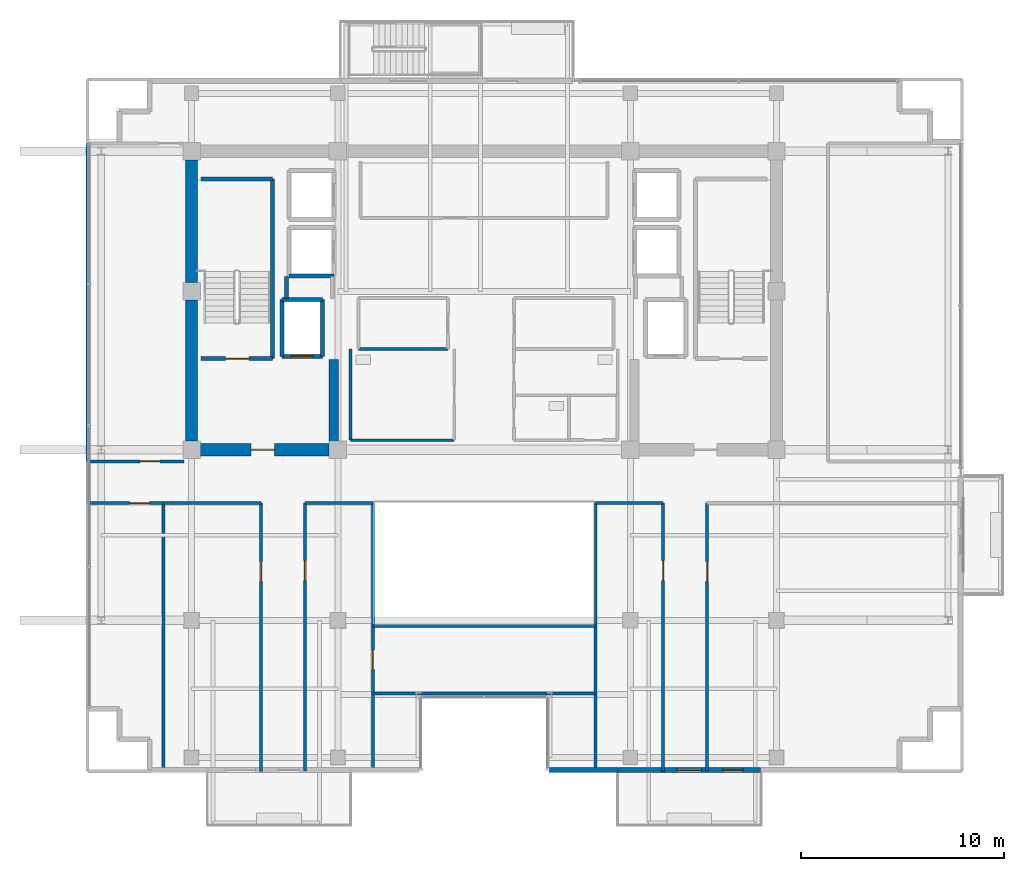
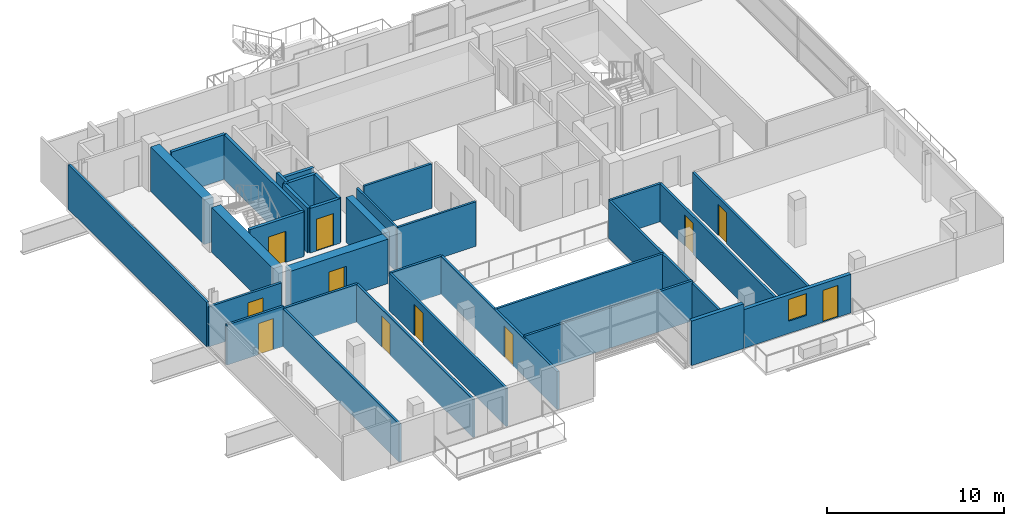
# One storey, part 15 of 23: 33 walls, 11 doors, 1 window, 12 openings.
"""IFC4 building model written with IfcOpenShell, lengths in metres."""

from ifc_helpers import new_model, si_unit, direction, frame, frame_2d, origin, place, context, subcontext, project, spatial, rectangle, extrude, source, transform, mapped, material, layer, layer_set, type_object, element, fill, save


model = new_model("IFC4")

# Units and contexts
model_context = context("Model", 3, precision=1e-05, world=origin(), true_north=direction((0.0, 1.0)))
body_context = subcontext(model_context, "Body", "Model", "MODEL_VIEW")
ifc_project = project(units=[si_unit("LENGTHUNIT", "METRE"), si_unit("AREAUNIT", "SQUARE_METRE"), si_unit("VOLUMEUNIT", "CUBIC_METRE"), si_unit("PLANEANGLEUNIT", "RADIAN"), si_unit("MASSUNIT", "GRAM", prefix="KILO")], contexts=[model_context])

# Site, building, storey
site_placement = place(None, origin())
site = spatial("IfcSite", under=ifc_project, at=site_placement, CompositionType="ELEMENT")
building_placement = place(site_placement, origin())
building = spatial("IfcBuilding", under=site, at=building_placement, Name="Zarnakvel Exchange Tower", CompositionType="ELEMENT")
storey_placement = place(building_placement, frame((0.0, 0.0, 232.0)))
storey = spatial("IfcBuildingStorey", under=building, at=storey_placement, Name="L65", CompositionType="ELEMENT", Elevation=232.0)

# Walls
ifc_material_1 = material(Name="Concrete C50/60", Category="concrete")
ifc_layer_1 = layer(ifc_material_1, 0.60009765625)
ifc_layer_set_1 = layer_set([ifc_layer_1], Name="Concrete C50/60")
wall_type_1 = type_object("IfcWallType", Name="CW-C5", PredefinedType="SHEAR", material=ifc_layer_set_1)
wall_1_placement = place(storey_placement, frame((-14.39990234375, -0.77490234375, 0.0), z_axis=(0.0, 0.0, 1.0), x_axis=(0.0, 1.0, 0.0)))
element("IfcWall", 1, at=wall_1_placement, inside=storey, type_object=wall_type_1, Name="L65 Rear Core Shear Wall W1 (CW-C5)", PredefinedType="SHEAR", context=body_context, shape_type="SweptSolid", body=[
    extrude(rectangle(XDim=6.949951171875, YDim=0.60009765625, at=frame_2d((3.47509765625, 0.0))), origin(), (0.0, 0.0, 1.0), 3.074951171875),
])
wall_2_placement = place(storey_placement, frame((-14.39990234375, 7.02490234375, 0.0), z_axis=(0.0, 0.0, 1.0), x_axis=(0.0, 1.0, 0.0)))
element("IfcWall", 2, at=wall_2_placement, inside=storey, type_object=wall_type_1, Name="L65 Rear Core Shear Wall W2 (CW-C5)", PredefinedType="SHEAR", context=body_context, shape_type="SweptSolid", body=[
    extrude(rectangle(XDim=6.050048828125, YDim=0.60009765625, at=frame_2d((3.02490234375, 0.0))), origin(), (0.0, 0.0, 1.0), 3.074951171875),
])

# Wall, opening, door
wall_3_placement = place(storey_placement, frame((-7.625, -1.199951171875, 0.0), z_axis=(0.0, 0.0, 1.0), x_axis=(-1.0, 0.0, 0.0)))
wall_3 = element("IfcWall", 3, at=wall_3_placement, inside=storey, type_object=wall_type_1, Name="L65 Rear Core Shear Wall SW (CW-C5)", PredefinedType="SHEAR", context=body_context, shape_type="SweptSolid", body=[
    extrude(rectangle(XDim=6.35009765625, YDim=0.60009765625, at=frame_2d((3.175048828125, 0.0))), origin(), (0.0, 0.0, 1.0), 3.074951171875),
])
opening_1_placement = place(wall_3_placement, frame((2.699951171875, 0.0, 0.0)))
opening_1 = element("IfcOpeningElement", 4, at=opening_1_placement, cuts=wall_3, Name="Opening D-L65-03", PredefinedType="OPENING", context=body_context, shape_type="SweptSolid", body=[
    extrude(rectangle(XDim=1.14990234375, YDim=2.14990234375, at=frame_2d((0.574951171875, 1.074951171875))), frame((0.0, 0.31005859375, 0.0), z_axis=(0.0, -1.0, 0.0), x_axis=(1.0, 0.0, 0.0)), (0.0, 0.0, 1.0), 0.6201171875),
])
ifc_material_2 = material(Name="Painted Galvanised Steel S355", Category="steel")
door_type_1 = type_object("IfcDoorType", Name="DT-04", OperationType="NOTDEFINED", PredefinedType="DOOR", material=ifc_material_2)
shared_shape_1 = source(origin(), body_context, "Body", "SweptSolid", [
    extrude(rectangle(XDim=1.14990234375, YDim=2.14990234375, at=frame_2d((0.574951171875, 1.074951171875))), frame((0.0, 0.02490234375, 0.0), z_axis=(0.0, -1.0, 0.0), x_axis=(1.0, 0.0, 0.0)), (0.0, 0.0, 1.0), 0.050048828125),
])
door_1_placement = place(opening_1_placement, origin())
door_1 = element("IfcDoor", 5, at=door_1_placement, inside=storey, type_object=door_type_1, Name="L65 Firefighting Lobby West Door D-L65-03", OperationType="SINGLE_SWING_LEFT", OverallHeight=2.14990234375, OverallWidth=1.14990234375, PredefinedType="DOOR", context=body_context, shape_type="MappedRepresentation", body=[
    mapped(shared_shape_1, transform((0.0, 0.0, 0.0), x_axis=(1.0, 0.0, 0.0), y_axis=(0.0, 1.0, 0.0), z_axis=(0.0, 0.0, 1.0), scale=1.0)),
])
fill(opening_1, door_1)

# Wall
ifc_layer_2 = layer(ifc_material_1, 0.449951171875)
ifc_layer_set_2 = layer_set([ifc_layer_2], Name="Concrete C50/60")
wall_type_2 = type_object("IfcWallType", Name="CW-C6", PredefinedType="SHEAR", material=ifc_layer_set_2)
wall_4_placement = place(storey_placement, frame((-7.39990234375, -0.89990234375, 0.0), z_axis=(0.0, 0.0, 1.0), x_axis=(0.0, 1.0, 0.0)))
element("IfcWall", 6, at=wall_4_placement, inside=storey, type_object=wall_type_2, Name="L65 Rear Core Shear Wall IW (CW-C6)", PredefinedType="SHEAR", context=body_context, shape_type="SweptSolid", body=[
    extrude(rectangle(XDim=4.14990234375, YDim=0.449951171875, at=frame_2d((2.074951171875, 0.0))), origin(), (0.0, 0.0, 1.0), 3.074951171875),
])

# Wall, openings, door, window
ifc_material_3 = material(Name="Precast concrete C40/50", Category="concrete")
ifc_layer_3 = layer(ifc_material_3, 0.239990234375)
ifc_layer_set_3 = layer_set([ifc_layer_3], Name="Precast concrete C40/50")
wall_type_3 = type_object("IfcWallType", Name="EW-02", PredefinedType="SOLIDWALL", material=ifc_layer_set_3)
wall_5_placement = place(storey_placement, frame((13.60009765625, -16.9599609375, 0.0), z_axis=(0.0, 0.0, 1.0), x_axis=(-1.0, 0.0, 0.0)))
wall_5 = element("IfcWall", 7, at=wall_5_placement, inside=storey, type_object=wall_type_3, Name="L65 Exterior Precast Spandrel Wall EW-BAL-L65-SE (EW-02)", PredefinedType="SOLIDWALL", context=body_context, shape_type="SweptSolid", body=[
    extrude(rectangle(XDim=7.0, YDim=0.239990234375, at=frame_2d((3.5, 0.0))), origin(), (0.0, 0.0, 1.0), 2.6650390625),
])
opening_2_placement = place(wall_5_placement, frame((0.840087890625, 0.0, 0.0)))
opening_2 = element("IfcOpeningElement", 8, at=opening_2_placement, cuts=wall_5, Name="Opening BD-L65-02", PredefinedType="OPENING", context=body_context, shape_type="SweptSolid", body=[
    extrude(rectangle(XDim=1.0, YDim=2.199951171875, at=frame_2d((0.5, 1.10009765625))), frame((0.0, 0.1298828125, 0.0), z_axis=(0.0, -1.0, 0.0), x_axis=(1.0, 0.0, 0.0)), (0.0, 0.0, 1.0), 0.260009765625),
])
opening_3_placement = place(wall_5_placement, frame((2.89990234375, 0.0, 0.85009765625)))
opening_3 = element("IfcOpeningElement", 9, at=opening_3_placement, cuts=wall_5, Name="Opening WN-04", PredefinedType="OPENING", context=body_context, shape_type="SweptSolid", body=[
    extrude(rectangle(XDim=1.199951171875, YDim=1.5, at=frame_2d((0.60009765625, 0.75))), frame((0.0, 0.1298828125, 0.0), z_axis=(0.0, -1.0, 0.0), x_axis=(1.0, 0.0, 0.0)), (0.0, 0.0, 1.0), 0.260009765625),
])
ifc_material_4 = material(Name="Architectural Bronze Anodised Aluminium", Category="aluminium")
door_type_2 = type_object("IfcDoorType", Name="DT-09", OperationType="NOTDEFINED", PredefinedType="DOOR", material=ifc_material_4)
shared_shape_2 = source(origin(), body_context, "Body", "SweptSolid", [
    extrude(rectangle(XDim=1.0, YDim=2.199951171875, at=frame_2d((0.5, 1.10009765625))), frame((0.0, 0.02490234375, 0.0), z_axis=(0.0, -1.0, 0.0), x_axis=(1.0, 0.0, 0.0)), (0.0, 0.0, 1.0), 0.050048828125),
])
door_2_placement = place(opening_2_placement, origin())
door_2 = element("IfcDoor", 10, at=door_2_placement, inside=storey, type_object=door_type_2, Name="L65 Planted Loggia Balcony Door BD-L65-02", OperationType="SINGLE_SWING_RIGHT", OverallHeight=2.199951171875, OverallWidth=1.0, PredefinedType="DOOR", context=body_context, shape_type="MappedRepresentation", body=[
    mapped(shared_shape_2, transform((0.0, 0.0, 0.0), x_axis=(1.0, 0.0, 0.0), y_axis=(0.0, 1.0, 0.0), z_axis=(0.0, 0.0, 1.0), scale=1.0)),
])
fill(opening_2, door_2)
ifc_material_5 = material(Name="Double Low-E Laminated Vision Glass", Category="glass")
window_type = type_object("IfcWindowType", Name="WN-04", PartitioningType="SINGLE_PANEL", PredefinedType="WINDOW", material=ifc_material_5)
shared_shape_3 = source(origin(), body_context, "Body", "SweptSolid", [
    extrude(rectangle(XDim=1.199951171875, YDim=1.5, at=frame_2d((0.60009765625, 0.75))), frame((0.0, 0.030029296875, 0.0), z_axis=(0.0, -1.0, 0.0), x_axis=(1.0, 0.0, 0.0)), (0.0, 0.0, 1.0), 0.06005859375),
])
window_placement = place(opening_3_placement, origin())
window = element("IfcWindow", 11, at=window_placement, inside=storey, type_object=window_type, Name="L65 Loggia Daylight Window (WN-04)", OverallHeight=1.5, OverallWidth=1.199951171875, PartitioningType="SINGLE_PANEL", PredefinedType="WINDOW", context=body_context, shape_type="MappedRepresentation", body=[
    mapped(shared_shape_3, transform((0.0, 0.0, 0.0), x_axis=(1.0, 0.0, 0.0), y_axis=(0.0, 1.0, 0.0), z_axis=(0.0, 0.0, 1.0), scale=1.0)),
])
fill(opening_3, window)

# Walls
wall_6_placement = place(storey_placement, frame((3.199951171875, -16.9599609375, 0.0), z_axis=(0.0, 0.0, 1.0), x_axis=(1.0, 0.0, 0.0)))
element("IfcWall", 12, at=wall_6_placement, inside=storey, type_object=wall_type_3, Name="L65 Exterior Precast Spandrel Wall EWC-L65-18 (EW-02)", PredefinedType="SOLIDWALL", context=body_context, shape_type="SweptSolid", body=[
    extrude(rectangle(XDim=3.400146484375, YDim=0.239990234375, at=frame_2d((1.7001953125, 0.0))), origin(), (0.0, 0.0, 1.0), 3.074951171875),
])
ifc_material_6 = material(Name="Fire-Rated Gypsum Stud Partition", Category="gypsum")
ifc_layer_4 = layer(ifc_material_6, 0.14990234375)
ifc_layer_set_4 = layer_set([ifc_layer_4], Name="Fire-Rated Gypsum Stud Partition")
wall_type_4 = type_object("IfcWallType", Name="PT-01", PredefinedType="PARTITIONING", material=ifc_layer_set_4)
wall_7_placement = place(storey_placement, frame((-1.77001953125, 3.760009765625, 0.0), z_axis=(0.0, 0.0, 1.0), x_axis=(-1.0, 0.0, 0.0)))
element("IfcWall", 13, at=wall_7_placement, inside=storey, type_object=wall_type_4, Name="L65 Partition Wall PWALL-L65-014 (PT-01)", PredefinedType="PARTITIONING", context=body_context, shape_type="SweptSolid", body=[
    extrude(rectangle(XDim=4.409912109375, YDim=0.14990234375, at=frame_2d((2.205078125, 0.0))), origin(), (0.0, 0.0, 1.0), 3.074951171875),
])

# Wall, opening, door
wall_8_placement = place(storey_placement, frame((-19.530029296875, -3.830078125, 0.0), z_axis=(0.0, 0.0, 1.0), x_axis=(1.0, 0.0, 0.0)))
wall_8 = element("IfcWall", 14, at=wall_8_placement, inside=storey, type_object=wall_type_4, Name="L65 Partition Wall PWALL-L65-034 (PT-01)", PredefinedType="PARTITIONING", context=body_context, shape_type="SweptSolid", body=[
    extrude(rectangle(XDim=3.73828125, YDim=0.14990234375, at=frame_2d((1.869140625, 0.0))), origin(), (0.0, 0.0, 1.0), 2.764892578125),
])
opening_4_placement = place(wall_8_placement, frame((2.0791015625, 0.0, 0.0)))
opening_4 = element("IfcOpeningElement", 15, at=opening_4_placement, cuts=wall_8, Name="Opening D-L65-12", PredefinedType="OPENING", context=body_context, shape_type="SweptSolid", body=[
    extrude(rectangle(XDim=0.97998046875, YDim=2.14990234375, at=frame_2d((0.489990234375, 1.074951171875))), frame((0.0, 0.0849609375, 0.0), z_axis=(0.0, -1.0, 0.0), x_axis=(1.0, 0.0, 0.0)), (0.0, 0.0, 1.0), 0.169921875),
])
ifc_material_7 = material(Name="Timber Acoustic Veneer", Category="wood")
door_type_3 = type_object("IfcDoorType", Name="DT-05", OperationType="NOTDEFINED", PredefinedType="DOOR", material=ifc_material_7)
shared_shape_4 = source(origin(), body_context, "Body", "SweptSolid", [
    extrude(rectangle(XDim=0.97998046875, YDim=2.14990234375, at=frame_2d((0.489990234375, 1.074951171875))), frame((0.0, 0.02490234375, 0.0), z_axis=(0.0, -1.0, 0.0), x_axis=(1.0, 0.0, 0.0)), (0.0, 0.0, 1.0), 0.050048828125),
])
door_3_placement = place(opening_4_placement, origin())
door_3 = element("IfcDoor", 16, at=door_3_placement, inside=storey, type_object=door_type_3, Name="L65 Commodities Dealing Room Door D-L65-12", OperationType="SINGLE_SWING_RIGHT", OverallHeight=2.14990234375, OverallWidth=0.97998046875, PredefinedType="DOOR", context=body_context, shape_type="MappedRepresentation", body=[
    mapped(shared_shape_4, transform((0.0, 0.0, 0.0), x_axis=(1.0, 0.0, 0.0), y_axis=(0.0, 1.0, 0.0), z_axis=(0.0, 0.0, 1.0), scale=1.0)),
])
fill(opening_4, door_3)

# Walls
wall_9_placement = place(storey_placement, frame((-15.791748046875, -3.830078125, 0.0), z_axis=(0.0, 0.0, 1.0), x_axis=(0.0, -1.0, 0.0)))
element("IfcWall", 17, at=wall_9_placement, inside=storey, type_object=wall_type_4, Name="L65 Partition Wall PWALL-L65-036 (PT-01)", PredefinedType="PARTITIONING", context=body_context, shape_type="SweptSolid", body=[
    extrude(rectangle(XDim=13.199951171875, YDim=0.14990234375, at=frame_2d((6.60009765625, 0.0))), origin(), (0.0, 0.0, 1.0), 2.614990234375),
])
wall_10_placement = place(storey_placement, frame((-15.791748046875, -3.830078125, 0.0), z_axis=(0.0, 0.0, 1.0), x_axis=(1.0, 0.0, 0.0)))
element("IfcWall", 18, at=wall_10_placement, inside=storey, type_object=wall_type_4, Name="L65 Partition Wall PWALL-L65-038 (PT-01)", PredefinedType="PARTITIONING", context=body_context, shape_type="SweptSolid", body=[
    extrude(rectangle(XDim=4.811767578125, YDim=0.14990234375, at=frame_2d((2.40576171875, 0.0))), origin(), (0.0, 0.0, 1.0), 2.614990234375),
])

# Wall, opening, door
wall_11_placement = place(storey_placement, frame((-10.97998046875, -3.830078125, 0.0), z_axis=(0.0, 0.0, 1.0), x_axis=(0.0, -1.0, 0.0)))
wall_11 = element("IfcWall", 19, at=wall_11_placement, inside=storey, type_object=wall_type_4, Name="L65 Partition Wall PWALL-L65-039 (PT-01)", PredefinedType="PARTITIONING", context=body_context, shape_type="SweptSolid", body=[
    extrude(rectangle(XDim=13.199951171875, YDim=0.14990234375, at=frame_2d((6.60009765625, 0.0))), origin(), (0.0, 0.0, 1.0), 2.614990234375),
])
opening_5_placement = place(wall_11_placement, frame((2.8798828125, 0.0, 0.0)))
opening_5 = element("IfcOpeningElement", 20, at=opening_5_placement, cuts=wall_11, Name="Opening D-L65-13", PredefinedType="OPENING", context=body_context, shape_type="SweptSolid", body=[
    extrude(rectangle(XDim=0.97998046875, YDim=2.14990234375, at=frame_2d((0.489990234375, 1.074951171875))), frame((0.0, 0.0849609375, 0.0), z_axis=(0.0, -1.0, 0.0), x_axis=(1.0, 0.0, 0.0)), (0.0, 0.0, 1.0), 0.169921875),
])
door_4_placement = place(opening_5_placement, origin())
door_4 = element("IfcDoor", 21, at=door_4_placement, inside=storey, type_object=door_type_3, Name="L65 Brokerage Office Door D-L65-13", OperationType="SINGLE_SWING_LEFT", OverallHeight=2.14990234375, OverallWidth=0.97998046875, PredefinedType="DOOR", context=body_context, shape_type="MappedRepresentation", body=[
    mapped(shared_shape_4, transform((0.0, 0.0, 0.0), x_axis=(1.0, 0.0, 0.0), y_axis=(0.0, 1.0, 0.0), z_axis=(0.0, 0.0, 1.0), scale=1.0)),
])
fill(opening_5, door_4)

wall_12_placement = place(storey_placement, frame((10.97998046875, -17.030029296875, 0.0), z_axis=(0.0, 0.0, 1.0), x_axis=(0.0, 1.0, 0.0)))
wall_12 = element("IfcWall", 22, at=wall_12_placement, inside=storey, type_object=wall_type_4, Name="L65 Partition Wall PWALL-L65-042 (PT-01)", PredefinedType="PARTITIONING", context=body_context, shape_type="SweptSolid", body=[
    extrude(rectangle(XDim=13.199951171875, YDim=0.14990234375, at=frame_2d((6.60009765625, 0.0))), origin(), (0.0, 0.0, 1.0), 2.614990234375),
])
opening_6_placement = place(wall_12_placement, frame((9.340087890625, 0.0, 0.0)))
opening_6 = element("IfcOpeningElement", 23, at=opening_6_placement, cuts=wall_12, Name="Opening D-L65-14", PredefinedType="OPENING", context=body_context, shape_type="SweptSolid", body=[
    extrude(rectangle(XDim=0.97998046875, YDim=2.14990234375, at=frame_2d((0.489990234375, 1.074951171875))), frame((0.0, 0.0849609375, 0.0), z_axis=(0.0, -1.0, 0.0), x_axis=(1.0, 0.0, 0.0)), (0.0, 0.0, 1.0), 0.169921875),
])
door_5_placement = place(opening_6_placement, origin())
door_5 = element("IfcDoor", 24, at=door_5_placement, inside=storey, type_object=door_type_3, Name="L65 Seminar Room Door D-L65-14", OperationType="SINGLE_SWING_RIGHT", OverallHeight=2.14990234375, OverallWidth=0.97998046875, PredefinedType="DOOR", context=body_context, shape_type="MappedRepresentation", body=[
    mapped(shared_shape_4, transform((0.0, 0.0, 0.0), x_axis=(1.0, 0.0, 0.0), y_axis=(0.0, 1.0, 0.0), z_axis=(0.0, 0.0, 1.0), scale=1.0)),
])
fill(opening_6, door_5)

# Wall
wall_13_placement = place(storey_placement, frame((-8.820068359375, -3.830078125, 0.0), z_axis=(0.0, 0.0, 1.0), x_axis=(1.0, 0.0, 0.0)))
element("IfcWall", 25, at=wall_13_placement, inside=storey, type_object=wall_type_4, Name="L65 Partition Wall PWALL-L65-045 (PT-01)", PredefinedType="PARTITIONING", context=body_context, shape_type="SweptSolid", body=[
    extrude(rectangle(XDim=3.340087890625, YDim=0.14990234375, at=frame_2d((1.669921875, 0.0))), origin(), (0.0, 0.0, 1.0), 2.614990234375),
])

# Wall, opening, door
wall_14_placement = place(storey_placement, frame((-8.820068359375, -17.030029296875, 0.0), z_axis=(0.0, 0.0, 1.0), x_axis=(0.0, 1.0, 0.0)))
wall_14 = element("IfcWall", 26, at=wall_14_placement, inside=storey, type_object=wall_type_4, Name="L65 Partition Wall PWALL-L65-046 (PT-01)", PredefinedType="PARTITIONING", context=body_context, shape_type="SweptSolid", body=[
    extrude(rectangle(XDim=13.199951171875, YDim=0.14990234375, at=frame_2d((6.60009765625, 0.0))), origin(), (0.0, 0.0, 1.0), 2.614990234375),
])
opening_7_placement = place(wall_14_placement, frame((9.385009765625, 0.0, 0.0)))
opening_7 = element("IfcOpeningElement", 27, at=opening_7_placement, cuts=wall_14, Name="Opening D-L65-15", PredefinedType="OPENING", context=body_context, shape_type="SweptSolid", body=[
    extrude(rectangle(XDim=0.97998046875, YDim=2.14990234375, at=frame_2d((0.489990234375, 1.074951171875))), frame((0.0, 0.0849609375, 0.0), z_axis=(0.0, -1.0, 0.0), x_axis=(1.0, 0.0, 0.0)), (0.0, 0.0, 1.0), 0.169921875),
])
door_6_placement = place(opening_7_placement, origin())
door_6 = element("IfcDoor", 28, at=door_6_placement, inside=storey, type_object=door_type_3, Name="L65 Tea Pantry Door D-L65-15", OperationType="SINGLE_SWING_LEFT", OverallHeight=2.14990234375, OverallWidth=0.97998046875, PredefinedType="DOOR", context=body_context, shape_type="MappedRepresentation", body=[
    mapped(shared_shape_4, transform((0.0, 0.0, 0.0), x_axis=(1.0, 0.0, 0.0), y_axis=(0.0, 1.0, 0.0), z_axis=(0.0, 0.0, 1.0), scale=1.0)),
])
fill(opening_7, door_6)

wall_15_placement = place(storey_placement, frame((-5.47998046875, -3.830078125, 0.0), z_axis=(0.0, 0.0, 1.0), x_axis=(0.0, -1.0, 0.0)))
wall_15 = element("IfcWall", 29, at=wall_15_placement, inside=storey, type_object=wall_type_4, Name="L65 Partition Wall PWALL-L65-047 (PT-01)", PredefinedType="PARTITIONING", context=body_context, shape_type="SweptSolid", body=[
    extrude(rectangle(XDim=13.199951171875, YDim=0.14990234375, at=frame_2d((6.60009765625, 0.0))), origin(), (0.0, 0.0, 1.0), 2.614990234375),
])
opening_8_placement = place(wall_15_placement, frame((7.219970703125, 0.0, 0.0)))
opening_8 = element("IfcOpeningElement", 30, at=opening_8_placement, cuts=wall_15, Name="Opening D-L65-17", PredefinedType="OPENING", context=body_context, shape_type="SweptSolid", body=[
    extrude(rectangle(XDim=0.97998046875, YDim=2.14990234375, at=frame_2d((0.489990234375, 1.074951171875))), frame((0.0, 0.0849609375, 0.0), z_axis=(0.0, -1.0, 0.0), x_axis=(1.0, 0.0, 0.0)), (0.0, 0.0, 1.0), 0.169921875),
])
door_7_placement = place(opening_8_placement, origin())
door_7 = element("IfcDoor", 31, at=door_7_placement, inside=storey, type_object=door_type_3, Name="L65 Breakout Lounge Door D-L65-17", OperationType="SINGLE_SWING_LEFT", OverallHeight=2.14990234375, OverallWidth=0.97998046875, PredefinedType="DOOR", context=body_context, shape_type="MappedRepresentation", body=[
    mapped(shared_shape_4, transform((0.0, 0.0, 0.0), x_axis=(1.0, 0.0, 0.0), y_axis=(0.0, 1.0, 0.0), z_axis=(0.0, 0.0, 1.0), scale=1.0)),
])
fill(opening_8, door_7)

# Walls
wall_16_placement = place(storey_placement, frame((5.47998046875, -3.830078125, 0.0), z_axis=(0.0, 0.0, 1.0), x_axis=(1.0, 0.0, 0.0)))
element("IfcWall", 32, at=wall_16_placement, inside=storey, type_object=wall_type_4, Name="L65 Partition Wall PWALL-L65-049 (PT-01)", PredefinedType="PARTITIONING", context=body_context, shape_type="SweptSolid", body=[
    extrude(rectangle(XDim=3.340087890625, YDim=0.14990234375, at=frame_2d((1.669921875, 0.0))), origin(), (0.0, 0.0, 1.0), 2.614990234375),
])
wall_17_placement = place(storey_placement, frame((5.47998046875, -17.030029296875, 0.0), z_axis=(0.0, 0.0, 1.0), x_axis=(0.0, 1.0, 0.0)))
element("IfcWall", 33, at=wall_17_placement, inside=storey, type_object=wall_type_4, Name="L65 Partition Wall PWALL-L65-050 (PT-01)", PredefinedType="PARTITIONING", context=body_context, shape_type="SweptSolid", body=[
    extrude(rectangle(XDim=13.199951171875, YDim=0.14990234375, at=frame_2d((6.60009765625, 0.0))), origin(), (0.0, 0.0, 1.0), 2.614990234375),
])

# Wall, opening, door
wall_18_placement = place(storey_placement, frame((8.820068359375, -3.830078125, 0.0), z_axis=(0.0, 0.0, 1.0), x_axis=(0.0, -1.0, 0.0)))
wall_18 = element("IfcWall", 34, at=wall_18_placement, inside=storey, type_object=wall_type_4, Name="L65 Partition Wall PWALL-L65-051 (PT-01)", PredefinedType="PARTITIONING", context=body_context, shape_type="SweptSolid", body=[
    extrude(rectangle(XDim=13.199951171875, YDim=0.14990234375, at=frame_2d((6.60009765625, 0.0))), origin(), (0.0, 0.0, 1.0), 2.614990234375),
])
opening_9_placement = place(wall_18_placement, frame((2.8349609375, 0.0, 0.0)))
opening_9 = element("IfcOpeningElement", 35, at=opening_9_placement, cuts=wall_18, Name="Opening D-L65-16", PredefinedType="OPENING", context=body_context, shape_type="SweptSolid", body=[
    extrude(rectangle(XDim=0.97998046875, YDim=2.14990234375, at=frame_2d((0.489990234375, 1.074951171875))), frame((0.0, 0.0849609375, 0.0), z_axis=(0.0, -1.0, 0.0), x_axis=(1.0, 0.0, 0.0)), (0.0, 0.0, 1.0), 0.169921875),
])
door_8_placement = place(opening_9_placement, origin())
door_8 = element("IfcDoor", 36, at=door_8_placement, inside=storey, type_object=door_type_3, Name="L65 Fintech Workspace Door D-L65-16", OperationType="SINGLE_SWING_RIGHT", OverallHeight=2.14990234375, OverallWidth=0.97998046875, PredefinedType="DOOR", context=body_context, shape_type="MappedRepresentation", body=[
    mapped(shared_shape_4, transform((0.0, 0.0, 0.0), x_axis=(1.0, 0.0, 0.0), y_axis=(0.0, 1.0, 0.0), z_axis=(0.0, 0.0, 1.0), scale=1.0)),
])
fill(opening_9, door_8)

# Walls
wall_19_placement = place(storey_placement, frame((5.47998046875, -13.199951171875, 0.0), z_axis=(0.0, 0.0, 1.0), x_axis=(-1.0, 0.0, 0.0)))
element("IfcWall", 37, at=wall_19_placement, inside=storey, type_object=wall_type_4, Name="L65 Partition Wall PWALL-L65-052 (PT-01)", PredefinedType="PARTITIONING", context=body_context, shape_type="SweptSolid", body=[
    extrude(rectangle(XDim=10.9599609375, YDim=0.14990234375, at=frame_2d((5.47998046875, 0.0))), origin(), (0.0, 0.0, 1.0), 2.764892578125),
])
wall_20_placement = place(storey_placement, frame((-5.47998046875, -9.8798828125, 0.0), z_axis=(0.0, 0.0, 1.0), x_axis=(1.0, 0.0, 0.0)))
element("IfcWall", 38, at=wall_20_placement, inside=storey, type_object=wall_type_4, Name="L65 Partition Wall PWALL-L65-053 (PT-01)", PredefinedType="PARTITIONING", context=body_context, shape_type="SweptSolid", body=[
    extrude(rectangle(XDim=10.9599609375, YDim=0.14990234375, at=frame_2d((5.47998046875, 0.0))), origin(), (0.0, 0.0, 1.0), 2.614990234375),
])

# Wall, opening, door
wall_21_placement = place(storey_placement, frame((-14.77001953125, -1.77001953125, 0.0), z_axis=(0.0, 0.0, 1.0), x_axis=(-1.0, 0.0, 0.0)))
wall_21 = element("IfcWall", 39, at=wall_21_placement, inside=storey, type_object=wall_type_4, Name="L65 Partition Wall PWALL-L65-054 (PT-01)", PredefinedType="PARTITIONING", context=body_context, shape_type="SweptSolid", body=[
    extrude(rectangle(XDim=4.760009765625, YDim=0.14990234375, at=frame_2d((2.3798828125, 0.0))), origin(), (0.0, 0.0, 1.0), 2.764892578125),
])
opening_10_placement = place(wall_21_placement, frame((1.18994140625, 0.0, 0.0)))
opening_10 = element("IfcOpeningElement", 40, at=opening_10_placement, cuts=wall_21, Name="Opening D-L65-18", PredefinedType="OPENING", context=body_context, shape_type="SweptSolid", body=[
    extrude(rectangle(XDim=0.97998046875, YDim=2.14990234375, at=frame_2d((0.489990234375, 1.074951171875))), frame((0.0, 0.0849609375, 0.0), z_axis=(0.0, -1.0, 0.0), x_axis=(1.0, 0.0, 0.0)), (0.0, 0.0, 1.0), 0.169921875),
])
door_9_placement = place(opening_10_placement, origin())
door_9 = element("IfcDoor", 41, at=door_9_placement, inside=storey, type_object=door_type_3, Name="L65 Boardroom Door D-L65-18", OperationType="SINGLE_SWING_RIGHT", OverallHeight=2.14990234375, OverallWidth=0.97998046875, PredefinedType="DOOR", context=body_context, shape_type="MappedRepresentation", body=[
    mapped(shared_shape_4, transform((0.0, 0.0, 0.0), x_axis=(1.0, 0.0, 0.0), y_axis=(0.0, 1.0, 0.0), z_axis=(0.0, 0.0, 1.0), scale=1.0)),
])
fill(opening_10, door_9)

# Walls
wall_22_placement = place(storey_placement, frame((-19.530029296875, -1.77001953125, 0.0), z_axis=(0.0, 0.0, 1.0), x_axis=(0.0, 1.0, 0.0)))
element("IfcWall", 42, at=wall_22_placement, inside=storey, type_object=wall_type_4, Name="L65 Partition Wall PWALL-L65-056 (PT-01)", PredefinedType="PARTITIONING", context=body_context, shape_type="SweptSolid", body=[
    extrude(rectangle(XDim=15.64990234375, YDim=0.14990234375, at=frame_2d((7.824951171875, 0.0))), origin(), (0.0, 0.0, 1.0), 3.074951171875),
])
ifc_layer_5 = layer(ifc_material_6, 0.179931640625)
ifc_layer_set_5 = layer_set([ifc_layer_5], Name="Fire-Rated Gypsum Stud Partition")
wall_type_5 = type_object("IfcWallType", Name="PT-02", PredefinedType="PARTITIONING", material=ifc_layer_set_5)
wall_23_placement = place(storey_placement, frame((-9.72998046875, 6.239990234375, 0.0), z_axis=(0.0, 0.0, 1.0), x_axis=(0.0, 1.0, 0.0)))
element("IfcWall", 43, at=wall_23_placement, inside=storey, type_object=wall_type_5, Name="L65 Partition Wall PWALL-L65-007 (PT-02)", PredefinedType="PARTITIONING", context=body_context, shape_type="SweptSolid", body=[
    extrude(rectangle(XDim=1.090087890625, YDim=0.179931640625, at=frame_2d((0.544921875, 0.0))), origin(), (0.0, 0.0, 1.0), 3.074951171875),
])
ifc_material_8 = material(Name="Moisture-Resistant Tile-Faced Partition", Category="gypsum")
ifc_layer_6 = layer(ifc_material_8, 0.135009765625)
ifc_layer_set_6 = layer_set([ifc_layer_6], Name="Moisture-Resistant Tile-Faced Partition")
wall_type_6 = type_object("IfcWallType", Name="PT-03", PredefinedType="PARTITIONING", material=ifc_layer_set_6)
wall_24_placement = place(storey_placement, frame((-1.469970703125, -0.72998046875, 0.0), z_axis=(0.0, 0.0, 1.0), x_axis=(-1.0, 0.0, 0.0)))
element("IfcWall", 44, at=wall_24_placement, inside=storey, type_object=wall_type_6, Name="L65 Partition Wall PWALL-L65-022 (PT-03)", PredefinedType="PARTITIONING", context=body_context, shape_type="SweptSolid", body=[
    extrude(rectangle(XDim=5.110107421875, YDim=0.135009765625, at=frame_2d((2.55517578125, 0.0))), origin(), (0.0, 0.0, 1.0), 3.074951171875),
])
wall_25_placement = place(storey_placement, frame((-6.580078125, -0.72998046875, 0.0), z_axis=(0.0, 0.0, 1.0), x_axis=(0.0, 1.0, 0.0)))
element("IfcWall", 45, at=wall_25_placement, inside=storey, type_object=wall_type_6, Name="L65 Partition Wall PWALL-L65-023 (PT-03)", PredefinedType="PARTITIONING", context=body_context, shape_type="SweptSolid", body=[
    extrude(rectangle(XDim=4.489990234375, YDim=0.135009765625, at=frame_2d((2.2451171875, 0.0))), origin(), (0.0, 0.0, 1.0), 3.074951171875),
])

# Wall, opening, door
ifc_material_9 = material(Name="Concrete C40/50", Category="concrete")
ifc_layer_7 = layer(ifc_material_9, 0.199951171875)
ifc_layer_set_7 = layer_set([ifc_layer_7], Name="Concrete C40/50")
wall_type_7 = type_object("IfcWallType", Name="SW-01", PredefinedType="SOLIDWALL", material=ifc_layer_set_7)
wall_26_placement = place(storey_placement, frame((-7.949951171875, 3.39990234375, 0.0), z_axis=(0.0, 0.0, 1.0), x_axis=(-1.0, 0.0, 0.0)))
wall_26 = element("IfcWall", 46, at=wall_26_placement, inside=storey, type_object=wall_type_7, Name="L65 FL-01 Hoistway Wall South", PredefinedType="SOLIDWALL", context=body_context, shape_type="SweptSolid", body=[
    extrude(rectangle(XDim=2.0, YDim=0.199951171875, at=frame_2d((1.0, 0.0))), origin(), (0.0, 0.0, 1.0), 3.074951171875),
])
opening_11_placement = place(wall_26_placement, frame((0.449951171875, 0.0, 0.0)))
opening_11 = element("IfcOpeningElement", 47, at=opening_11_placement, cuts=wall_26, Name="Opening LD-FL-01-L65", PredefinedType="OPENING", context=body_context, shape_type="SweptSolid", body=[
    extrude(rectangle(XDim=1.10009765625, YDim=2.199951171875, at=frame_2d((0.550048828125, 1.10009765625))), frame((0.0, 0.10986328125, 0.0), z_axis=(0.0, -1.0, 0.0), x_axis=(1.0, 0.0, 0.0)), (0.0, 0.0, 1.0), 0.219970703125),
])
ifc_material_10 = material(Name="Brushed Stainless Steel", Category="steel")
door_type_4 = type_object("IfcDoorType", Name="LDT-01", OperationType="NOTDEFINED", PredefinedType="DOOR", material=ifc_material_10)
shared_shape_5 = source(origin(), body_context, "Body", "SweptSolid", [
    extrude(rectangle(XDim=1.10009765625, YDim=2.199951171875, at=frame_2d((0.550048828125, 1.10009765625))), frame((0.0, 0.02490234375, 0.0), z_axis=(0.0, -1.0, 0.0), x_axis=(1.0, 0.0, 0.0)), (0.0, 0.0, 1.0), 0.050048828125),
])
door_10_placement = place(opening_11_placement, origin())
door_10 = element("IfcDoor", 48, at=door_10_placement, inside=storey, type_object=door_type_4, Name="L65 FL-01 Lift Landing Door LD-FL-01-L65", OperationType="DOUBLE_DOOR_SLIDING", OverallHeight=2.199951171875, OverallWidth=1.10009765625, PredefinedType="DOOR", context=body_context, shape_type="MappedRepresentation", body=[
    mapped(shared_shape_5, transform((0.0, 0.0, 0.0), x_axis=(1.0, 0.0, 0.0), y_axis=(0.0, 1.0, 0.0), z_axis=(0.0, 0.0, 1.0), scale=1.0)),
])
fill(opening_11, door_10)

# Walls
wall_27_placement = place(storey_placement, frame((-9.949951171875, 6.199951171875, 0.0), z_axis=(0.0, 0.0, 1.0), x_axis=(1.0, 0.0, 0.0)))
element("IfcWall", 49, at=wall_27_placement, inside=storey, type_object=wall_type_7, Name="L65 FL-01 Hoistway Wall North", PredefinedType="SOLIDWALL", context=body_context, shape_type="SweptSolid", body=[
    extrude(rectangle(XDim=2.0, YDim=0.199951171875, at=frame_2d((1.0, 0.0))), origin(), (0.0, 0.0, 1.0), 3.074951171875),
])
for number, where, z_axis, x_axis, name in (
    (50, (-9.949951171875, 3.39990234375, 0.0), (0.0, 0.0, 1.0), (0.0, 1.0, 0.0), "L65 FL-01 Hoistway Wall West"),
    (51, (-7.949951171875, 6.199951171875, 0.0), (0.0, 0.0, 1.0), (0.0, -1.0, 0.0), "L65 FL-01 Hoistway Wall East"),
):
    element("IfcWall", number, at=place(storey_placement, frame(where, z_axis=z_axis, x_axis=x_axis)), inside=storey, type_object=wall_type_7, Name=name, PredefinedType="SOLIDWALL", context=body_context, shape_type="SweptSolid", body=[
        extrude(rectangle(XDim=2.800048828125, YDim=0.199951171875, at=frame_2d((1.39990234375, 0.0))), origin(), (0.0, 0.0, 1.0), 3.074951171875),
    ])
wall_28_placement = place(storey_placement, frame((-7.39990234375, 7.35009765625, 0.0), z_axis=(0.0, 0.0, 1.0), x_axis=(-1.0, 0.0, 0.0)))
element("IfcWall", 52, at=wall_28_placement, inside=storey, type_object=wall_type_7, Name="L65 PL-09 Hoistway Wall South", PredefinedType="SOLIDWALL", context=body_context, shape_type="SweptSolid", body=[
    extrude(rectangle(XDim=2.2001953125, YDim=0.199951171875, at=frame_2d((1.10009765625, 0.0))), origin(), (0.0, 0.0, 1.0), 2.614990234375),
])

# Wall, opening, door
ifc_layer_8 = layer(ifc_material_9, 0.199951171875)
ifc_layer_set_8 = layer_set([ifc_layer_8], Name="Concrete C40/50")
wall_type_8 = type_object("IfcWallType", Name="SW-02", PredefinedType="SOLIDWALL", material=ifc_layer_set_8)
wall_29_placement = place(storey_placement, frame((-10.409912109375, 3.2900390625, 0.0), z_axis=(0.0, 0.0, 1.0), x_axis=(-1.0, 0.0, 0.0)))
wall_29 = element("IfcWall", 53, at=wall_29_placement, inside=storey, type_object=wall_type_8, Name="L65 Stairwell Core Wall PWALL-L65-001 (SW-02)", PredefinedType="SOLIDWALL", context=body_context, shape_type="SweptSolid", body=[
    extrude(rectangle(XDim=3.52001953125, YDim=0.199951171875, at=frame_2d((1.760009765625, 0.0))), origin(), (0.0, 0.0, 1.0), 3.074951171875),
])
opening_12_placement = place(wall_29_placement, frame((1.1650390625, 0.0, 0.0)))
opening_12 = element("IfcOpeningElement", 54, at=opening_12_placement, cuts=wall_29, Name="Opening D-L65-01", PredefinedType="OPENING", context=body_context, shape_type="SweptSolid", body=[
    extrude(rectangle(XDim=1.14990234375, YDim=2.14990234375, at=frame_2d((0.574951171875, 1.074951171875))), frame((0.0, 0.10986328125, 0.0), z_axis=(0.0, -1.0, 0.0), x_axis=(1.0, 0.0, 0.0)), (0.0, 0.0, 1.0), 0.219970703125),
])
door_11_placement = place(opening_12_placement, origin())
door_11 = element("IfcDoor", 55, at=door_11_placement, inside=storey, type_object=door_type_1, Name="L65 Stairwell ST-01 Door D-L65-01", OperationType="SINGLE_SWING_LEFT", OverallHeight=2.14990234375, OverallWidth=1.14990234375, PredefinedType="DOOR", context=body_context, shape_type="MappedRepresentation", body=[
    mapped(shared_shape_1, transform((0.0, 0.0, 0.0), x_axis=(1.0, 0.0, 0.0), y_axis=(0.0, 1.0, 0.0), z_axis=(0.0, 0.0, 1.0), scale=1.0)),
])
fill(opening_12, door_11)

# Walls
wall_30_placement = place(storey_placement, frame((-13.929931640625, 12.1298828125, 0.0), z_axis=(0.0, 0.0, 1.0), x_axis=(1.0, 0.0, 0.0)))
element("IfcWall", 56, at=wall_30_placement, inside=storey, type_object=wall_type_8, Name="L65 Stairwell Core Wall PWALL-L65-002 (SW-02)", PredefinedType="SOLIDWALL", context=body_context, shape_type="SweptSolid", body=[
    extrude(rectangle(XDim=3.52001953125, YDim=0.199951171875, at=frame_2d((1.760009765625, 0.0))), origin(), (0.0, 0.0, 1.0), 3.074951171875),
])
wall_31_placement = place(storey_placement, frame((-10.409912109375, 12.1298828125, 0.0), z_axis=(0.0, 0.0, 1.0), x_axis=(0.0, -1.0, 0.0)))
element("IfcWall", 57, at=wall_31_placement, inside=storey, type_object=wall_type_8, Name="L65 Stairwell Core Wall PWALL-L65-003 (SW-02)", PredefinedType="SOLIDWALL", context=body_context, shape_type="SweptSolid", body=[
    extrude(rectangle(XDim=8.83984375, YDim=0.199951171875, at=frame_2d((4.419921875, 0.0))), origin(), (0.0, 0.0, 1.0), 3.074951171875),
])

save(model, "model.ifc")
